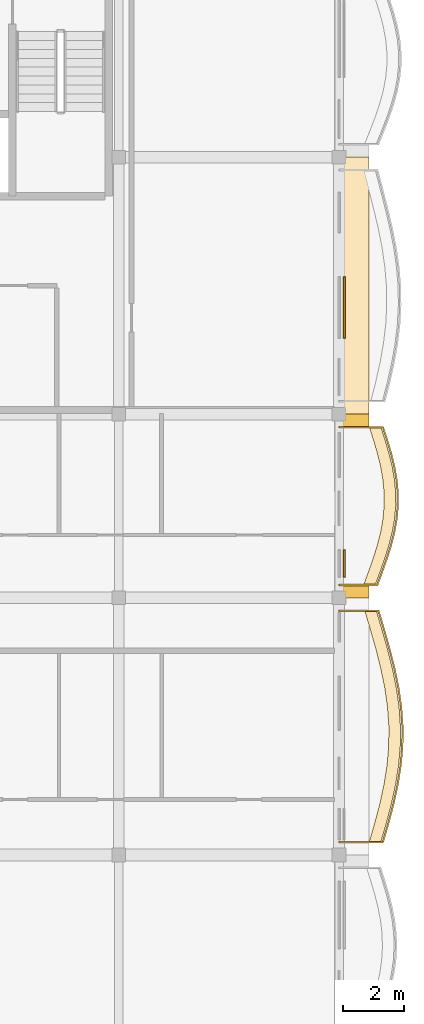
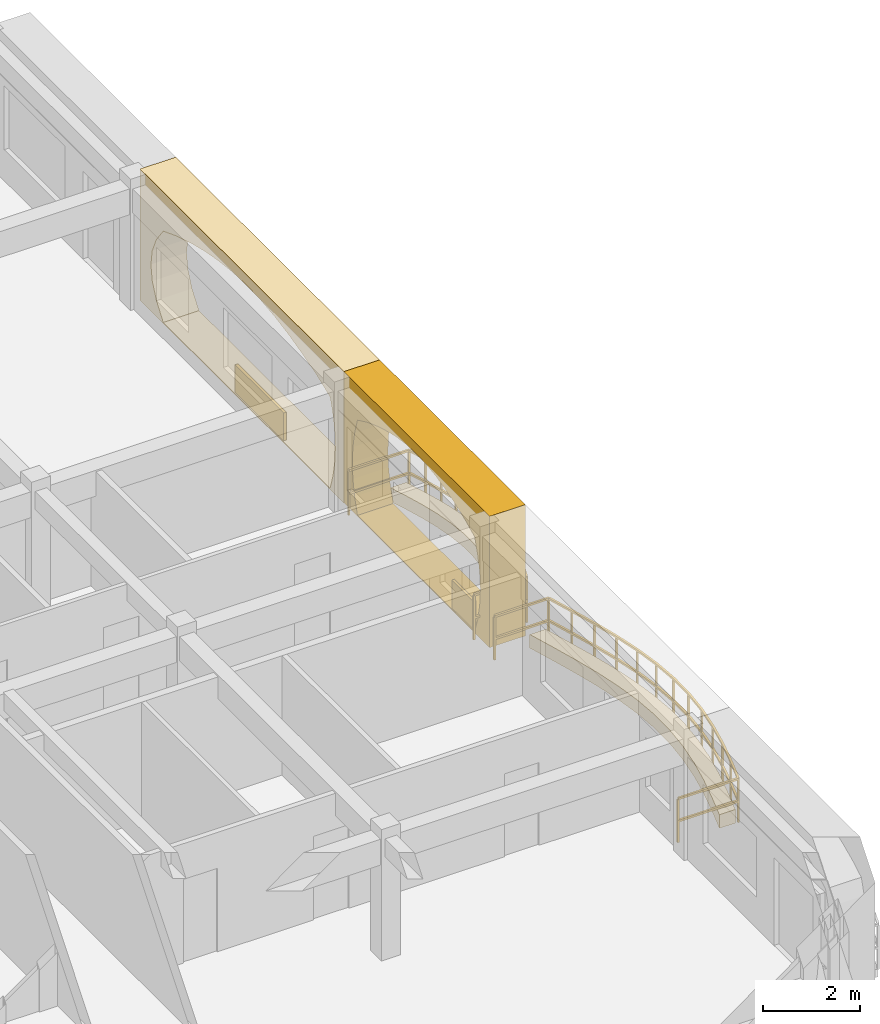
# One storey, part 69 of 76: 6 coverings, 2 railings.
"""IFC4 building model written with IfcOpenShell, lengths in metres."""

from ifc_helpers import new_model, si_unit, direction, frame, origin, origin_2d, place, context, subcontext, project, spatial, polyline, rectangle, outline, extrude, material, layer, layer_set, type_object, element, save


model = new_model("IFC4")

# Units and contexts
model_context = context("Model", 3, precision=1e-05, world=origin(), true_north=direction((0.0, 1.0)))
body_context = subcontext(model_context, "Body", "Model", "MODEL_VIEW")
ifc_project = project(units=[si_unit("LENGTHUNIT", "METRE"), si_unit("AREAUNIT", "SQUARE_METRE"), si_unit("VOLUMEUNIT", "CUBIC_METRE"), si_unit("PLANEANGLEUNIT", "RADIAN"), si_unit("MASSUNIT", "GRAM", prefix="KILO"), si_unit("THERMODYNAMICTEMPERATUREUNIT", "KELVIN")], contexts=[model_context])

# Site, building, storey
site_placement = place(None, origin())
site = spatial("IfcSite", under=ifc_project, at=site_placement, CompositionType="ELEMENT")
building_placement = place(site_placement, origin())
building = spatial("IfcBuilding", under=site, at=building_placement, Name="Thalorik Housing Commons", CompositionType="ELEMENT")
storey_placement = place(building_placement, frame((0.0, 0.0, 18.0)))
storey = spatial("IfcBuildingStorey", under=building, at=storey_placement, Name="L05", CompositionType="ELEMENT", Elevation=18.0)

# Coverings
ifc_material_1 = material(Name="Cobalt blue glazed ceramic facade tile panel", Category="masonry")
ifc_layer_1 = layer(ifc_material_1, 0.06005859375, Name="Cobalt blue glazed ceramic facade tile panel", Category="masonry")
ifc_layer_set_1 = layer_set([ifc_layer_1], Name="Cobalt blue glazed ceramic facade tile panel")
covering_type_1 = type_object("IfcCoveringType", Name="ARC-CLD-BLU-60", PredefinedType="CLADDING", material=ifc_layer_set_1)
covering_1_placement = place(storey_placement, frame((174.1650390625, 52.71875, 0.0498046875), z_axis=(0.0, 0.0, 1.0), x_axis=(0.0, 1.0, 0.0)))
element("IfcCovering", 1, at=covering_1_placement, inside=storey, type_object=covering_type_1, Name="L05 De Stijl Recessed Window Spandrel 4898", PredefinedType="CLADDING", context=body_context, shape_type="SweptSolid", body=[
    extrude(rectangle(XDim=0.89990234375, YDim=0.06005859375, at=origin_2d()), origin(), (0.0, 0.0, 1.0), 0.699951171875),
])
ifc_material_2 = material(Name="Precast concrete C40/50", Category="concrete")
ifc_layer_2 = layer(ifc_material_2, 0.85009765625, Name="Precast concrete C40/50", Category="concrete")
ifc_layer_set_2 = layer_set([ifc_layer_2], Name="Precast concrete C40/50")
covering_type_2 = type_object("IfcCoveringType", Name="ARC-CLD-CUSH-850", PredefinedType="CLADDING", material=ifc_layer_set_2)
covering_2_placement = place(storey_placement, frame((174.554931640625, 54.60009765625, 0.0), z_axis=(0.0, 0.0, 1.0), x_axis=(0.0, 1.0, 0.0)))
element("IfcCovering", 2, at=covering_2_placement, inside=storey, type_object=covering_type_2, Name="L05 White Precast Curved Cushion Bay Frame 4897", PredefinedType="CLADDING", context=body_context, shape_type="SweptSolid", body=[
    extrude(outline(polyline([(-3.0, 0.0), (3.0, 0.0), (3.0, 3.300048828125), (-3.0, 3.300048828125), (-3.0, 0.0)]), holes=[polyline([(2.44384765625, 0.02490234375), (2.561279296875, 0.42431640625), (2.631591796875, 0.8232421875), (2.6552734375, 1.222412109375), (2.631591796875, 1.62158203125), (2.561279296875, 2.020751953125), (2.44384765625, 2.419921875), (2.041748046875, 2.608642578125), (1.6396484375, 2.7568359375), (1.237548828125, 2.876953125), (0.83544921875, 2.96630859375), (0.433349609375, 3.021484375), (0.03125, 3.0400390625), (-0.370849609375, 3.021484375), (-0.77294921875, 2.96630859375), (-1.1748046875, 2.876953125), (-1.576904296875, 2.7568359375), (-1.97900390625, 2.608642578125), (-2.381103515625, 2.419921875), (-2.51171875, 2.020751953125), (-2.590087890625, 1.62158203125), (-2.6162109375, 1.222412109375), (-2.590087890625, 0.8232421875), (-2.51171875, 0.42431640625), (-2.381103515625, 0.02490234375), (2.44384765625, 0.02490234375)])]), frame((0.0, 0.425048828125, 0.0), z_axis=(0.0, -1.0, 0.0), x_axis=(1.0, 0.0, 0.0)), (0.0, 0.0, 1.0), 0.85009765625),
])
covering_3_placement = place(storey_placement, frame((174.554931640625, 61.800048828125, 0.0), z_axis=(0.0, 0.0, 1.0), x_axis=(0.0, 1.0, 0.0)))
element("IfcCovering", 3, at=covering_3_placement, inside=storey, type_object=covering_type_2, Name="L05 White Precast Curved Cushion Bay Frame 4899", PredefinedType="CLADDING", context=body_context, shape_type="SweptSolid", body=[
    extrude(outline(polyline([(-4.199951171875, 0.0), (4.199951171875, 0.0), (4.199951171875, 3.300048828125), (-4.199951171875, 3.300048828125), (-4.199951171875, 0.0)]), holes=[polyline([(3.239990234375, 0.02490234375), (3.523193359375, 0.407470703125), (3.693359375, 0.7900390625), (3.75, 1.172607421875), (3.693359375, 1.554931640625), (3.523193359375, 1.9375), (3.239990234375, 2.320068359375), (2.66748046875, 2.539306640625), (2.094970703125, 2.711181640625), (1.5224609375, 2.8505859375), (0.949951171875, 2.954345703125), (0.37744140625, 3.018310546875), (-0.195068359375, 3.0400390625), (-0.767578125, 3.018310546875), (-1.340087890625, 2.954345703125), (-1.91259765625, 2.8505859375), (-2.485107421875, 2.711181640625), (-3.0576171875, 2.539306640625), (-3.6298828125, 2.320068359375), (-3.750244140625, 1.9375), (-3.822509765625, 1.554931640625), (-3.8466796875, 1.172607421875), (-3.822509765625, 0.7900390625), (-3.750244140625, 0.407470703125), (-3.6298828125, 0.02490234375), (3.239990234375, 0.02490234375)])]), frame((0.0, 0.425048828125, 0.0), z_axis=(0.0, -1.0, 0.0), x_axis=(1.0, 0.0, 0.0)), (0.0, 0.0, 1.0), 0.85009765625),
])
ifc_material_3 = material(Name="Mineral ochre architectural terracotta panel", Category="masonry")
ifc_layer_3 = layer(ifc_material_3, 0.06494140625, Name="Mineral ochre architectural terracotta panel", Category="masonry")
ifc_layer_set_3 = layer_set([ifc_layer_3], Name="Mineral ochre architectural terracotta panel")
covering_type_3 = type_object("IfcCoveringType", Name="ARC-CLD-YEL-65", PredefinedType="CLADDING", material=ifc_layer_set_3)
covering_4_placement = place(storey_placement, frame((174.16748046875, 61.090087890625, 0.0498046875), z_axis=(0.0, 0.0, 1.0), x_axis=(0.0, 1.0, 0.0)))
element("IfcCovering", 4, at=covering_4_placement, inside=storey, type_object=covering_type_3, Name="L05 De Stijl Recessed Window Spandrel 4900", PredefinedType="CLADDING", context=body_context, shape_type="SweptSolid", body=[
    extrude(rectangle(XDim=2.0, YDim=0.06494140625, at=origin_2d()), origin(), (0.0, 0.0, 1.0), 0.699951171875),
])
ifc_material_4 = material(Name="Planted vegetated substrate and terracotta trough", Category="masonry")
ifc_layer_4 = layer(ifc_material_4, 0.340087890625, Name="Planted vegetated substrate and terracotta trough", Category="masonry")
ifc_layer_set_4 = layer_set([ifc_layer_4], Name="Planted vegetated substrate and terracotta trough")
covering_type_4 = type_object("IfcCoveringType", Name="ARC-COV-PLANTER", PredefinedType="USERDEFINED", material=ifc_layer_set_4)
covering_5_placement = place(storey_placement, origin())
element("IfcCovering", 5, at=covering_5_placement, inside=storey, type_object=covering_type_4, Name="L05 Balcony Slab-Edge Planted Trough 5676", ObjectType="PLANTER", PredefinedType="USERDEFINED", context=body_context, shape_type="SweptSolid", body=[
    extrude(outline(polyline([(175.36376953125, 43.6201171875), (175.546875, 44.25), (175.71240234375, 44.8798828125), (175.84912109375, 45.510009765625), (175.947509765625, 46.139892578125), (176.000732421875, 46.77001953125), (176.00537109375, 47.39990234375), (175.961181640625, 48.030029296875), (175.87158203125, 48.659912109375), (175.74267578125, 49.2900390625), (175.583251953125, 49.919921875), (175.40478515625, 50.550048828125), (175.219482421875, 51.179931640625), (174.83935546875, 51.179931640625), (175.02490234375, 50.550048828125), (175.203369140625, 49.919921875), (175.362548828125, 49.2900390625), (175.49169921875, 48.659912109375), (175.581298828125, 48.030029296875), (175.62548828125, 47.39990234375), (175.62060546875, 46.77001953125), (175.5673828125, 46.139892578125), (175.468994140625, 45.510009765625), (175.33251953125, 44.8798828125), (175.1669921875, 44.25), (174.98388671875, 43.6201171875), (175.36376953125, 43.6201171875)])), origin(), (0.0, 0.0, 1.0), 0.340087890625),
])
covering_6_placement = place(storey_placement, origin())
element("IfcCovering", 6, at=covering_6_placement, inside=storey, type_object=covering_type_4, Name="L05 Balcony Slab-Edge Planted Trough 5677", ObjectType="PLANTER", PredefinedType="USERDEFINED", context=body_context, shape_type="SweptSolid", body=[
    extrude(outline(polyline([(175.180419921875, 52.02001953125), (175.339111328125, 52.449951171875), (175.4912109375, 52.8798828125), (175.62646484375, 53.31005859375), (175.73583984375, 53.739990234375), (175.8125, 54.169921875), (175.8515625, 54.60009765625), (175.850830078125, 55.030029296875), (175.811279296875, 55.4599609375), (175.736328125, 55.889892578125), (175.6318359375, 56.320068359375), (175.50537109375, 56.75), (175.366455078125, 57.179931640625), (174.986328125, 57.179931640625), (175.125244140625, 56.75), (175.251708984375, 56.320068359375), (175.3564453125, 55.889892578125), (175.431396484375, 55.4599609375), (175.470947265625, 55.030029296875), (175.471435546875, 54.60009765625), (175.4326171875, 54.169921875), (175.35595703125, 53.739990234375), (175.246337890625, 53.31005859375), (175.111083984375, 52.8798828125), (174.958984375, 52.449951171875), (174.80029296875, 52.02001953125), (175.180419921875, 52.02001953125)])), origin(), (0.0, 0.0, 1.0), 0.340087890625),
])

# Railings
ifc_material_5 = material(Name="Steel S355", Category="steel")
railing_type_1 = type_object("IfcRailingType", Name="ARC-RL-BAL-112", PredefinedType="BALUSTRADE", material=ifc_material_5)
railing_1_placement = place(storey_placement, frame((174.0, 43.6201171875, 0.0)))
element("IfcRailing", 7, at=railing_1_placement, inside=storey, type_object=railing_type_1, Name="L05 Cushion Balcony Guardrail 360", PredefinedType="BALUSTRADE", context=body_context, shape_type="SweptSolid", body=[
    extrude(rectangle(XDim=0.050048828125, YDim=0.050048828125, at=origin_2d()), frame((0.0, 0.0, 1.09521484375), z_axis=(1.0, 0.0, 0.0), x_axis=(0.0, 1.0, 0.0)), (0.0, 0.0, 1.0), 1.433837890625),
    extrude(rectangle(XDim=0.050048828125, YDim=0.050048828125, at=origin_2d()), frame((0.0, 0.0, 0.53515625), z_axis=(1.0, 0.0, 0.0), x_axis=(0.0, 1.0, 0.0)), (0.0, 0.0, 1.0), 1.433837890625),
    extrude(rectangle(XDim=0.050048828125, YDim=0.050048828125, at=origin_2d()), frame((1.433837890625, 0.0, 1.09521484375), z_axis=(0.279142362954, 0.960249728562, 0.0), x_axis=(-0.960249728562, 0.279142362954, 0.0)), (0.0, 0.0, 1.0), 0.656005859375),
    extrude(rectangle(XDim=0.050048828125, YDim=0.050048828125, at=origin_2d()), frame((1.433837890625, 0.0, 0.53515625), z_axis=(0.279142362954, 0.960249728562, 0.0), x_axis=(-0.960249728562, 0.279142362954, 0.0)), (0.0, 0.0, 1.0), 0.656005859375),
    extrude(rectangle(XDim=0.050048828125, YDim=0.050048828125, at=origin_2d()), frame((1.616943359375, 0.6298828125, 1.09521484375), z_axis=(0.254161146498, 0.967161884904, 0.0), x_axis=(-0.967161884904, 0.254161146498, 0.0)), (0.0, 0.0, 1.0), 0.6513671875),
    extrude(rectangle(XDim=0.050048828125, YDim=0.050048828125, at=origin_2d()), frame((1.616943359375, 0.6298828125, 0.53515625), z_axis=(0.254161146498, 0.967161884904, 0.0), x_axis=(-0.967161884904, 0.254161146498, 0.0)), (0.0, 0.0, 1.0), 0.6513671875),
    extrude(rectangle(XDim=0.050048828125, YDim=0.050048828125, at=origin_2d()), frame((1.782470703125, 1.259765625, 1.09521484375), z_axis=(0.211674980595, 0.977340116127, 0.0), x_axis=(-0.977340116127, 0.211674980595, 0.0)), (0.0, 0.0, 1.0), 0.644775390625),
    extrude(rectangle(XDim=0.050048828125, YDim=0.050048828125, at=origin_2d()), frame((1.782470703125, 1.259765625, 0.53515625), z_axis=(0.211674980595, 0.977340116127, 0.0), x_axis=(-0.977340116127, 0.211674980595, 0.0)), (0.0, 0.0, 1.0), 0.644775390625),
    extrude(rectangle(XDim=0.050048828125, YDim=0.050048828125, at=origin_2d()), frame((1.9189453125, 1.889892578125, 1.09521484375), z_axis=(0.154330151775, 0.988019333947, 0.0), x_axis=(-0.988019333947, 0.154330151775, 0.0)), (0.0, 0.0, 1.0), 0.637451171875),
    extrude(rectangle(XDim=0.050048828125, YDim=0.050048828125, at=origin_2d()), frame((1.9189453125, 1.889892578125, 0.53515625), z_axis=(0.154330151775, 0.988019333947, 0.0), x_axis=(-0.988019333947, 0.154330151775, 0.0)), (0.0, 0.0, 1.0), 0.637451171875),
    extrude(rectangle(XDim=0.050048828125, YDim=0.050048828125, at=origin_2d()), frame((2.017333984375, 2.519775390625, 1.09521484375), z_axis=(0.084547023785, 0.99641949036, 0.0), x_axis=(-0.99641949036, 0.084547023785, 0.0)), (0.0, 0.0, 1.0), 0.63232421875),
    extrude(rectangle(XDim=0.050048828125, YDim=0.050048828125, at=origin_2d()), frame((2.017333984375, 2.519775390625, 0.53515625), z_axis=(0.084547023785, 0.99641949036, 0.0), x_axis=(-0.99641949036, 0.084547023785, 0.0)), (0.0, 0.0, 1.0), 0.63232421875),
    extrude(rectangle(XDim=0.050048828125, YDim=0.050048828125, at=origin_2d()), frame((2.07080078125, 3.14990234375, 1.09521484375), z_axis=(0.007364141396, 0.999972884343, 0.0), x_axis=(-0.999972884343, 0.007364141396, 0.0)), (0.0, 0.0, 1.0), 0.6298828125),
    extrude(rectangle(XDim=0.050048828125, YDim=0.050048828125, at=origin_2d()), frame((2.07080078125, 3.14990234375, 0.53515625), z_axis=(0.007364141396, 0.999972884343, 0.0), x_axis=(-0.999972884343, 0.007364141396, 0.0)), (0.0, 0.0, 1.0), 0.6298828125),
    extrude(rectangle(XDim=0.050048828125, YDim=0.050048828125, at=origin_2d()), frame((2.075439453125, 3.77978515625, 1.09521484375), z_axis=(-0.069956049394, 0.997550074509, 0.0), x_axis=(-0.997550074509, -0.069956049394, 0.0)), (0.0, 0.0, 1.0), 0.631591796875),
    extrude(rectangle(XDim=0.050048828125, YDim=0.050048828125, at=origin_2d()), frame((2.075439453125, 3.77978515625, 0.53515625), z_axis=(-0.069956049394, 0.997550074509, 0.0), x_axis=(-0.997550074509, -0.069956049394, 0.0)), (0.0, 0.0, 1.0), 0.631591796875),
    extrude(rectangle(XDim=0.050048828125, YDim=0.050048828125, at=origin_2d()), frame((2.03125, 4.409912109375, 1.09521484375), z_axis=(-0.140830380668, 0.990033738759, 0.0), x_axis=(-0.990033738759, -0.140830380668, 0.0)), (0.0, 0.0, 1.0), 0.63623046875),
    extrude(rectangle(XDim=0.050048828125, YDim=0.050048828125, at=origin_2d()), frame((2.03125, 4.409912109375, 0.53515625), z_axis=(-0.140830380668, 0.990033738759, 0.0), x_axis=(-0.990033738759, -0.140830380668, 0.0)), (0.0, 0.0, 1.0), 0.63623046875),
    extrude(rectangle(XDim=0.050048828125, YDim=0.050048828125, at=origin_2d()), frame((1.941650390625, 5.039794921875, 1.09521484375), z_axis=(-0.200785373927, 0.979635255397, 0.0), x_axis=(-0.979635255397, -0.200785373927, 0.0)), (0.0, 0.0, 1.0), 0.643310546875),
    extrude(rectangle(XDim=0.050048828125, YDim=0.050048828125, at=origin_2d()), frame((1.941650390625, 5.039794921875, 0.53515625), z_axis=(-0.200785373927, 0.979635255397, 0.0), x_axis=(-0.979635255397, -0.200785373927, 0.0)), (0.0, 0.0, 1.0), 0.643310546875),
    extrude(rectangle(XDim=0.050048828125, YDim=0.050048828125, at=origin_2d()), frame((1.8125, 5.669921875, 1.09521484375), z_axis=(-0.245010582788, 0.969520404283, 0.0), x_axis=(-0.969520404283, -0.245010582788, 0.0)), (0.0, 0.0, 1.0), 0.649658203125),
    extrude(rectangle(XDim=0.050048828125, YDim=0.050048828125, at=origin_2d()), frame((1.8125, 5.669921875, 0.53515625), z_axis=(-0.245010582788, 0.969520404283, 0.0), x_axis=(-0.969520404283, -0.245010582788, 0.0)), (0.0, 0.0, 1.0), 0.649658203125),
    extrude(rectangle(XDim=0.050048828125, YDim=0.050048828125, at=origin_2d()), frame((1.6533203125, 6.2998046875, 1.09521484375), z_axis=(-0.272504798034, 0.962154423702, 0.0), x_axis=(-0.962154423702, -0.272504798034, 0.0)), (0.0, 0.0, 1.0), 0.655029296875),
    extrude(rectangle(XDim=0.050048828125, YDim=0.050048828125, at=origin_2d()), frame((1.6533203125, 6.2998046875, 0.53515625), z_axis=(-0.272504798034, 0.962154423702, 0.0), x_axis=(-0.962154423702, -0.272504798034, 0.0)), (0.0, 0.0, 1.0), 0.655029296875),
    extrude(rectangle(XDim=0.050048828125, YDim=0.050048828125, at=origin_2d()), frame((1.474853515625, 6.929931640625, 1.09521484375), z_axis=(-0.282568886397, 0.959247009086, 0.0), x_axis=(-0.959247009086, -0.282568886397, 0.0)), (0.0, 0.0, 1.0), 0.65673828125),
    extrude(rectangle(XDim=0.050048828125, YDim=0.050048828125, at=origin_2d()), frame((1.474853515625, 6.929931640625, 0.53515625), z_axis=(-0.282568886397, 0.959247009086, 0.0), x_axis=(-0.959247009086, -0.282568886397, 0.0)), (0.0, 0.0, 1.0), 0.65673828125),
    extrude(rectangle(XDim=0.050048828125, YDim=0.050048828125, at=origin_2d()), frame((1.289306640625, 7.559814453125, 1.09521484375), z_axis=(-1.0, 0.0, 0.0), x_axis=(0.0, -1.0, 0.0)), (0.0, 0.0, 1.0), 1.289306640625),
    extrude(rectangle(XDim=0.050048828125, YDim=0.050048828125, at=origin_2d()), frame((1.289306640625, 7.559814453125, 0.53515625), z_axis=(-1.0, 0.0, 0.0), x_axis=(0.0, -1.0, 0.0)), (0.0, 0.0, 1.0), 1.289306640625),
    extrude(rectangle(XDim=0.0419921875, YDim=0.0419921875, at=origin_2d()), origin(), (0.0, 0.0, 1.0), 1.070068359375),
    extrude(rectangle(XDim=0.0419921875, YDim=0.0419921875, at=origin_2d()), frame((1.433837890625, 0.0, 0.0)), (0.0, 0.0, 1.0), 1.070068359375),
    extrude(rectangle(XDim=0.0419921875, YDim=0.0419921875, at=origin_2d()), frame((1.616943359375, 0.6298828125, 0.0)), (0.0, 0.0, 1.0), 1.070068359375),
    extrude(rectangle(XDim=0.0419921875, YDim=0.0419921875, at=origin_2d()), frame((1.782470703125, 1.259765625, 0.0)), (0.0, 0.0, 1.0), 1.070068359375),
    extrude(rectangle(XDim=0.0419921875, YDim=0.0419921875, at=origin_2d()), frame((1.9189453125, 1.889892578125, 0.0)), (0.0, 0.0, 1.0), 1.070068359375),
    extrude(rectangle(XDim=0.0419921875, YDim=0.0419921875, at=origin_2d()), frame((2.017333984375, 2.519775390625, 0.0)), (0.0, 0.0, 1.0), 1.070068359375),
    extrude(rectangle(XDim=0.0419921875, YDim=0.0419921875, at=origin_2d()), frame((2.07080078125, 3.14990234375, 0.0)), (0.0, 0.0, 1.0), 1.070068359375),
    extrude(rectangle(XDim=0.0419921875, YDim=0.0419921875, at=origin_2d()), frame((2.075439453125, 3.77978515625, 0.0)), (0.0, 0.0, 1.0), 1.070068359375),
    extrude(rectangle(XDim=0.0419921875, YDim=0.0419921875, at=origin_2d()), frame((2.03125, 4.409912109375, 0.0)), (0.0, 0.0, 1.0), 1.070068359375),
    extrude(rectangle(XDim=0.0419921875, YDim=0.0419921875, at=origin_2d()), frame((1.941650390625, 5.039794921875, 0.0)), (0.0, 0.0, 1.0), 1.070068359375),
    extrude(rectangle(XDim=0.0419921875, YDim=0.0419921875, at=origin_2d()), frame((1.8125, 5.669921875, 0.0)), (0.0, 0.0, 1.0), 1.070068359375),
    extrude(rectangle(XDim=0.0419921875, YDim=0.0419921875, at=origin_2d()), frame((1.6533203125, 6.2998046875, 0.0)), (0.0, 0.0, 1.0), 1.070068359375),
    extrude(rectangle(XDim=0.0419921875, YDim=0.0419921875, at=origin_2d()), frame((1.474853515625, 6.929931640625, 0.0)), (0.0, 0.0, 1.0), 1.070068359375),
    extrude(rectangle(XDim=0.0419921875, YDim=0.0419921875, at=origin_2d()), frame((1.289306640625, 7.559814453125, 0.0)), (0.0, 0.0, 1.0), 1.070068359375),
    extrude(rectangle(XDim=0.0419921875, YDim=0.0419921875, at=origin_2d()), frame((0.0, 7.559814453125, 0.0)), (0.0, 0.0, 1.0), 1.070068359375),
])
railing_type_2 = type_object("IfcRailingType", Name="ARC-RL-BAL-115", PredefinedType="BALUSTRADE", material=ifc_material_5)
railing_2_placement = place(storey_placement, frame((174.0, 52.02001953125, 0.0)))
element("IfcRailing", 8, at=railing_2_placement, inside=storey, type_object=railing_type_2, Name="L05 Cushion Balcony Guardrail 361", PredefinedType="BALUSTRADE", context=body_context, shape_type="SweptSolid", body=[
    extrude(rectangle(XDim=0.050048828125, YDim=0.050048828125, at=origin_2d()), frame((0.0, 0.0, 1.125), z_axis=(1.0, 0.0, 0.0), x_axis=(0.0, 1.0, 0.0)), (0.0, 0.0, 1.0), 1.25048828125),
    extrude(rectangle(XDim=0.050048828125, YDim=0.050048828125, at=origin_2d()), frame((0.0, 0.0, 0.5498046875), z_axis=(1.0, 0.0, 0.0), x_axis=(0.0, 1.0, 0.0)), (0.0, 0.0, 1.0), 1.25048828125),
    extrude(rectangle(XDim=0.050048828125, YDim=0.050048828125, at=origin_2d()), frame((1.25048828125, 0.0, 1.125), z_axis=(0.346273105467, 0.938133751887, 0.0), x_axis=(-0.938133751887, 0.346273105467, 0.0)), (0.0, 0.0, 1.0), 0.458251953125),
    extrude(rectangle(XDim=0.050048828125, YDim=0.050048828125, at=origin_2d()), frame((1.25048828125, 0.0, 0.5498046875), z_axis=(0.346273105467, 0.938133751887, 0.0), x_axis=(-0.938133751887, 0.346273105467, 0.0)), (0.0, 0.0, 1.0), 0.458251953125),
    extrude(rectangle(XDim=0.050048828125, YDim=0.050048828125, at=origin_2d()), frame((1.4091796875, 0.429931640625, 1.125), z_axis=(0.333520092889, 0.942742991297, 0.0), x_axis=(-0.942742991297, 0.333520092889, 0.0)), (0.0, 0.0, 1.0), 0.4560546875),
    extrude(rectangle(XDim=0.050048828125, YDim=0.050048828125, at=origin_2d()), frame((1.4091796875, 0.429931640625, 0.5498046875), z_axis=(0.333520092889, 0.942742991297, 0.0), x_axis=(-0.942742991297, 0.333520092889, 0.0)), (0.0, 0.0, 1.0), 0.4560546875),
    extrude(rectangle(XDim=0.050048828125, YDim=0.050048828125, at=origin_2d()), frame((1.561279296875, 0.85986328125, 1.125), z_axis=(0.29944640042, 0.954113123941, 0.0), x_axis=(-0.954113123941, 0.29944640042, 0.0)), (0.0, 0.0, 1.0), 0.450927734375),
    extrude(rectangle(XDim=0.050048828125, YDim=0.050048828125, at=origin_2d()), frame((1.561279296875, 0.85986328125, 0.5498046875), z_axis=(0.29944640042, 0.954113123941, 0.0), x_axis=(-0.954113123941, 0.29944640042, 0.0)), (0.0, 0.0, 1.0), 0.450927734375),
    extrude(rectangle(XDim=0.050048828125, YDim=0.050048828125, at=origin_2d()), frame((1.6962890625, 1.2900390625, 1.125), z_axis=(0.247064490889, 0.968999038876, 0.0), x_axis=(-0.968999038876, 0.247064490889, 0.0)), (0.0, 0.0, 1.0), 0.443603515625),
    extrude(rectangle(XDim=0.050048828125, YDim=0.050048828125, at=origin_2d()), frame((1.6962890625, 1.2900390625, 0.5498046875), z_axis=(0.247064490889, 0.968999038876, 0.0), x_axis=(-0.968999038876, 0.247064490889, 0.0)), (0.0, 0.0, 1.0), 0.443603515625),
    extrude(rectangle(XDim=0.050048828125, YDim=0.050048828125, at=origin_2d()), frame((1.805908203125, 1.719970703125, 1.125), z_axis=(0.175539098525, 0.984472460198, 0.0), x_axis=(-0.984472460198, 0.175539098525, 0.0)), (0.0, 0.0, 1.0), 0.436767578125),
    extrude(rectangle(XDim=0.050048828125, YDim=0.050048828125, at=origin_2d()), frame((1.805908203125, 1.719970703125, 0.5498046875), z_axis=(0.175539098525, 0.984472460198, 0.0), x_axis=(-0.984472460198, 0.175539098525, 0.0)), (0.0, 0.0, 1.0), 0.436767578125),
    extrude(rectangle(XDim=0.050048828125, YDim=0.050048828125, at=origin_2d()), frame((1.882568359375, 2.14990234375, 1.125), z_axis=(0.089873190374, 0.995953216598, 0.0), x_axis=(-0.995953216598, 0.089873190374, 0.0)), (0.0, 0.0, 1.0), 0.431884765625),
    extrude(rectangle(XDim=0.050048828125, YDim=0.050048828125, at=origin_2d()), frame((1.882568359375, 2.14990234375, 0.5498046875), z_axis=(0.089873190374, 0.995953216598, 0.0), x_axis=(-0.995953216598, 0.089873190374, 0.0)), (0.0, 0.0, 1.0), 0.431884765625),
    extrude(rectangle(XDim=0.050048828125, YDim=0.050048828125, at=origin_2d()), frame((1.92138671875, 2.580078125, 1.125), z_axis=(-0.001135717609, 0.999999355073, 0.0), x_axis=(-0.999999355073, -0.001135717609, 0.0)), (0.0, 0.0, 1.0), 0.429931640625),
    extrude(rectangle(XDim=0.050048828125, YDim=0.050048828125, at=origin_2d()), frame((1.92138671875, 2.580078125, 0.5498046875), z_axis=(-0.001135717609, 0.999999355073, 0.0), x_axis=(-0.999999355073, -0.001135717609, 0.0)), (0.0, 0.0, 1.0), 0.429931640625),
    extrude(rectangle(XDim=0.050048828125, YDim=0.050048828125, at=origin_2d()), frame((1.9208984375, 3.010009765625, 1.125), z_axis=(-0.091606381543, 0.995795295661, 0.0), x_axis=(-0.995795295661, -0.091606381543, 0.0)), (0.0, 0.0, 1.0), 0.431640625),
    extrude(rectangle(XDim=0.050048828125, YDim=0.050048828125, at=origin_2d()), frame((1.9208984375, 3.010009765625, 0.5498046875), z_axis=(-0.091606381543, 0.995795295661, 0.0), x_axis=(-0.995795295661, -0.091606381543, 0.0)), (0.0, 0.0, 1.0), 0.431640625),
    extrude(rectangle(XDim=0.050048828125, YDim=0.050048828125, at=origin_2d()), frame((1.88134765625, 3.43994140625, 1.125), z_axis=(-0.171742507217, 0.985141873648, 0.0), x_axis=(-0.985141873648, -0.171742507217, 0.0)), (0.0, 0.0, 1.0), 0.4365234375),
    extrude(rectangle(XDim=0.050048828125, YDim=0.050048828125, at=origin_2d()), frame((1.88134765625, 3.43994140625, 0.5498046875), z_axis=(-0.171742507217, 0.985141873648, 0.0), x_axis=(-0.985141873648, -0.171742507217, 0.0)), (0.0, 0.0, 1.0), 0.4365234375),
    extrude(rectangle(XDim=0.050048828125, YDim=0.050048828125, at=origin_2d()), frame((1.806396484375, 3.869873046875, 1.125), z_axis=(-0.236041966504, 0.971742862103, 0.0), x_axis=(-0.971742862103, -0.236041966504, 0.0)), (0.0, 0.0, 1.0), 0.442626953125),
    extrude(rectangle(XDim=0.050048828125, YDim=0.050048828125, at=origin_2d()), frame((1.806396484375, 3.869873046875, 0.5498046875), z_axis=(-0.236041966504, 0.971742862103, 0.0), x_axis=(-0.971742862103, -0.236041966504, 0.0)), (0.0, 0.0, 1.0), 0.442626953125),
    extrude(rectangle(XDim=0.050048828125, YDim=0.050048828125, at=origin_2d()), frame((1.701904296875, 4.300048828125, 1.125), z_axis=(-0.28269709896, 0.959209231732, 0.0), x_axis=(-0.959209231732, -0.28269709896, 0.0)), (0.0, 0.0, 1.0), 0.4482421875),
    extrude(rectangle(XDim=0.050048828125, YDim=0.050048828125, at=origin_2d()), frame((1.701904296875, 4.300048828125, 0.5498046875), z_axis=(-0.28269709896, 0.959209231732, 0.0), x_axis=(-0.959209231732, -0.28269709896, 0.0)), (0.0, 0.0, 1.0), 0.4482421875),
    extrude(rectangle(XDim=0.050048828125, YDim=0.050048828125, at=origin_2d()), frame((1.5751953125, 4.72998046875, 1.125), z_axis=(-0.307460592586, 0.951560814665, 0.0), x_axis=(-0.951560814665, -0.307460592586, 0.0)), (0.0, 0.0, 1.0), 0.451904296875),
    extrude(rectangle(XDim=0.050048828125, YDim=0.050048828125, at=origin_2d()), frame((1.5751953125, 4.72998046875, 0.5498046875), z_axis=(-0.307460592586, 0.951560814665, 0.0), x_axis=(-0.951560814665, -0.307460592586, 0.0)), (0.0, 0.0, 1.0), 0.451904296875),
    extrude(rectangle(XDim=0.050048828125, YDim=0.050048828125, at=origin_2d()), frame((1.436279296875, 5.159912109375, 1.125), z_axis=(-1.0, 0.0, 0.0), x_axis=(0.0, -1.0, 0.0)), (0.0, 0.0, 1.0), 1.436279296875),
    extrude(rectangle(XDim=0.050048828125, YDim=0.050048828125, at=origin_2d()), frame((1.436279296875, 5.159912109375, 0.5498046875), z_axis=(-1.0, 0.0, 0.0), x_axis=(0.0, -1.0, 0.0)), (0.0, 0.0, 1.0), 1.436279296875),
    extrude(rectangle(XDim=0.0419921875, YDim=0.0419921875, at=origin_2d()), origin(), (0.0, 0.0, 1.0), 1.099853515625),
    extrude(rectangle(XDim=0.0419921875, YDim=0.0419921875, at=origin_2d()), frame((1.25048828125, 0.0, 0.0)), (0.0, 0.0, 1.0), 1.099853515625),
    extrude(rectangle(XDim=0.0419921875, YDim=0.0419921875, at=origin_2d()), frame((1.4091796875, 0.429931640625, 0.0)), (0.0, 0.0, 1.0), 1.099853515625),
    extrude(rectangle(XDim=0.0419921875, YDim=0.0419921875, at=origin_2d()), frame((1.561279296875, 0.85986328125, 0.0)), (0.0, 0.0, 1.0), 1.099853515625),
    extrude(rectangle(XDim=0.0419921875, YDim=0.0419921875, at=origin_2d()), frame((1.6962890625, 1.2900390625, 0.0)), (0.0, 0.0, 1.0), 1.099853515625),
    extrude(rectangle(XDim=0.0419921875, YDim=0.0419921875, at=origin_2d()), frame((1.805908203125, 1.719970703125, 0.0)), (0.0, 0.0, 1.0), 1.099853515625),
    extrude(rectangle(XDim=0.0419921875, YDim=0.0419921875, at=origin_2d()), frame((1.882568359375, 2.14990234375, 0.0)), (0.0, 0.0, 1.0), 1.099853515625),
    extrude(rectangle(XDim=0.0419921875, YDim=0.0419921875, at=origin_2d()), frame((1.92138671875, 2.580078125, 0.0)), (0.0, 0.0, 1.0), 1.099853515625),
    extrude(rectangle(XDim=0.0419921875, YDim=0.0419921875, at=origin_2d()), frame((1.9208984375, 3.010009765625, 0.0)), (0.0, 0.0, 1.0), 1.099853515625),
    extrude(rectangle(XDim=0.0419921875, YDim=0.0419921875, at=origin_2d()), frame((1.88134765625, 3.43994140625, 0.0)), (0.0, 0.0, 1.0), 1.099853515625),
    extrude(rectangle(XDim=0.0419921875, YDim=0.0419921875, at=origin_2d()), frame((1.806396484375, 3.869873046875, 0.0)), (0.0, 0.0, 1.0), 1.099853515625),
    extrude(rectangle(XDim=0.0419921875, YDim=0.0419921875, at=origin_2d()), frame((1.701904296875, 4.300048828125, 0.0)), (0.0, 0.0, 1.0), 1.099853515625),
    extrude(rectangle(XDim=0.0419921875, YDim=0.0419921875, at=origin_2d()), frame((1.5751953125, 4.72998046875, 0.0)), (0.0, 0.0, 1.0), 1.099853515625),
    extrude(rectangle(XDim=0.0419921875, YDim=0.0419921875, at=origin_2d()), frame((1.436279296875, 5.159912109375, 0.0)), (0.0, 0.0, 1.0), 1.099853515625),
    extrude(rectangle(XDim=0.0419921875, YDim=0.0419921875, at=origin_2d()), frame((0.0, 5.159912109375, 0.0)), (0.0, 0.0, 1.0), 1.099853515625),
])

save(model, "model.ifc")
